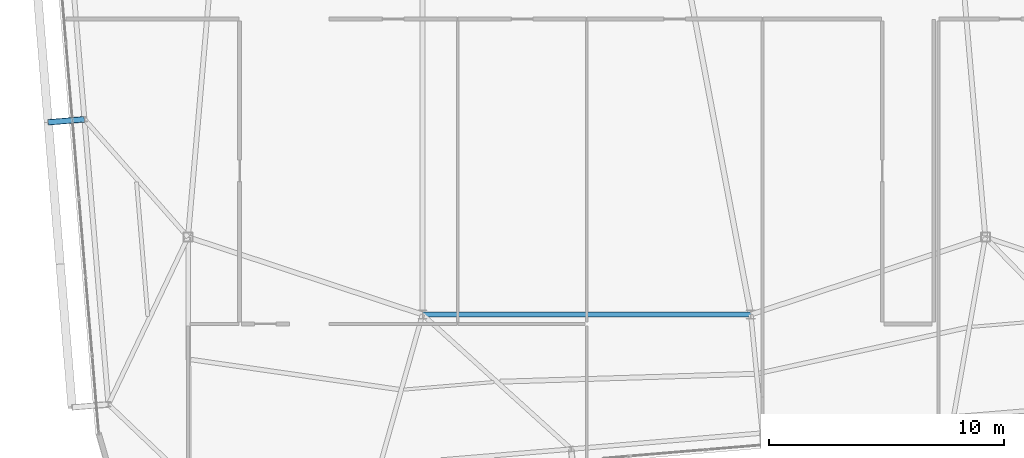
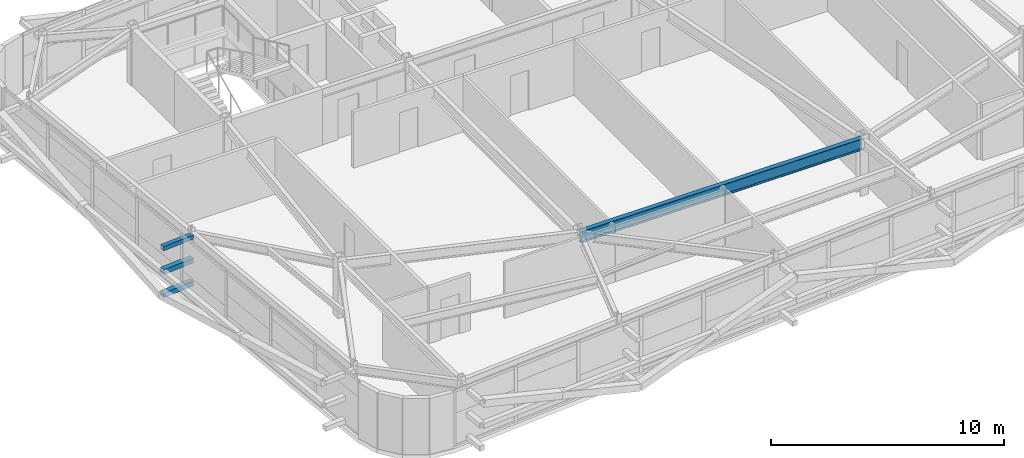
# One storey, part 13 of 46: 3 members, 1 beam.
"""IFC4 building model written with IfcOpenShell, lengths in metres."""

from ifc_helpers import new_model, si_unit, direction, frame, origin, origin_2d, place, context, subcontext, project, spatial, hollow_rectangle, i_section, extrude, source, transform, mapped, material, material_profile, profile_set, type_object, element, save


model = new_model("IFC4")

# Units and contexts
model_context = context("Model", 3, precision=1e-05, world=origin(), true_north=direction((0.0, 1.0)))
body_context = subcontext(model_context, "Body", "Model", "MODEL_VIEW")
ifc_project = project(units=[si_unit("LENGTHUNIT", "METRE"), si_unit("AREAUNIT", "SQUARE_METRE"), si_unit("VOLUMEUNIT", "CUBIC_METRE"), si_unit("PLANEANGLEUNIT", "RADIAN"), si_unit("MASSUNIT", "GRAM", prefix="KILO")], contexts=[model_context])

# Site, building, storey
site_placement = place(None, origin())
site = spatial("IfcSite", under=ifc_project, at=site_placement, CompositionType="ELEMENT")
building_placement = place(site_placement, origin())
building = spatial("IfcBuilding", under=site, at=building_placement, Name="Taldren Reach Tower", CompositionType="ELEMENT")
storey_placement = place(building_placement, frame((0.0, 0.0, 188.300048828125)))
storey = spatial("IfcBuildingStorey", under=building, at=storey_placement, Name="L57", CompositionType="ELEMENT", Elevation=188.300048828125)

# Beam
ifc_material_1 = material(Name="Steel Gr 350 (350PLUS)", Category="steel")
ifc_material_profile_1 = material_profile(ifc_material_1, i_section(OverallWidth=0.22802734375, OverallDepth=0.60205078125, WebThickness=0.010498046875, FlangeThickness=0.014892578125, at=origin_2d()), Name="610UB101")
ifc_profile_set_1 = profile_set([ifc_material_profile_1], Name="Steel Gr 350 (350PLUS)")
beam_type = type_object("IfcBeamType", Name="BM-UB610B", PredefinedType="BEAM", material=ifc_profile_set_1)
shared_shape_1 = source(origin(), body_context, "Body", "SweptSolid", [
    extrude(i_section(OverallWidth=0.22802734375, OverallDepth=0.60205078125, WebThickness=0.010498046875, FlangeThickness=0.014892578125, at=origin_2d()), origin(), (0.0, 0.0, 1.0), 14.0),
])
beam_placement = place(storey_placement, frame((28.0, 9.199951171875, 2.62890625), z_axis=(1.0, 0.0, 0.0), x_axis=(0.0, 1.0, 0.0)))
element("IfcBeam", 1, at=beam_placement, inside=storey, type_object=beam_type, Name="Core-spine girder L57-SP11", PredefinedType="BEAM", context=body_context, shape_type="MappedRepresentation", body=[
    mapped(shared_shape_1, transform((0.0, 0.0, 0.0), scale=1.0)),
])

# Members
ifc_material_2 = material(Name="Steel Gr 450 (C450L0)", Category="steel")
ifc_material_profile_2 = material_profile(ifc_material_2, hollow_rectangle(XDim=0.219970703125, YDim=0.219970703125, WallThickness=0.00830078125, at=origin_2d()), Name="220x220x8.2SHS")
ifc_profile_set_2 = profile_set([ifc_material_profile_2], Name="Steel Gr 450 (C450L0)")
member_type_1 = type_object("IfcMemberType", Name="MB-TIE219", PredefinedType="STRUT", material=ifc_profile_set_2)
shared_shape_2 = source(origin(), body_context, "Body", "SweptSolid", [
    extrude(hollow_rectangle(XDim=0.219970703125, YDim=0.219970703125, WallThickness=0.00830078125, at=origin_2d()), origin(), (0.0, 0.0, 1.0), 1.54541015625),
])
member_placement = place(storey_placement, frame((13.578125, 17.52490234375, 2.64990234375), z_axis=(-0.99648887425, -0.083725285883, 0.0), x_axis=(0.083725285883, -0.99648887425, 0.0)))
element("IfcMember", 2, at=member_placement, inside=storey, type_object=member_type_1, Name="Exoskeleton diaphragm tie strut B4-W2 L57", PredefinedType="STRUT", context=body_context, shape_type="MappedRepresentation", body=[
    mapped(shared_shape_2, transform((0.0, 0.0, 0.0), scale=1.0)),
])
ifc_material_3 = material(Name="Steel Gr 350 (C350L0)", Category="steel")
ifc_material_profile_3 = material_profile(ifc_material_3, hollow_rectangle(XDim=0.25, YDim=0.25, WallThickness=0.010009765625, at=origin_2d()), Name="250x250x10.0SHS")
ifc_profile_set_3 = profile_set([ifc_material_profile_3], Name="Steel Gr 350 (C350L0)")
member_type_2 = type_object("IfcMemberType", Name="MB-POST250", PredefinedType="POST", material=ifc_profile_set_3)
shared_shape_3 = source(origin(), body_context, "Body", "SweptSolid", [
    extrude(hollow_rectangle(XDim=0.25, YDim=0.25, WallThickness=0.010009765625, at=origin_2d()), origin(), (0.0, 0.0, 1.0), 1.54541015625),
])
for number, where, z_axis, x_axis, name in (
    (3, (13.578125, 17.52490234375, 0.219970703125), (-0.99648887425, -0.083725285883, 0.0), (0.083725285883, -0.99648887425, 0.0), "Exoskeleton base diaphragm tie strut B4-W2 L57"),
    (4, (13.578125, 17.52490234375, 1.43505859375), (-0.99648887425, -0.083725285883, 0.0), (0.083725285883, -0.99648887425, 0.0), "Exoskeleton mid-tier diaphragm tie B4-W2 L57"),
):
    element("IfcMember", number, at=place(storey_placement, frame(where, z_axis=z_axis, x_axis=x_axis)), inside=storey, type_object=member_type_2, Name=name, PredefinedType="POST", context=body_context, shape_type="MappedRepresentation", body=[
        mapped(shared_shape_3, transform((0.0, 0.0, 0.0), scale=1.0)),
    ])

save(model, "model.ifc")
